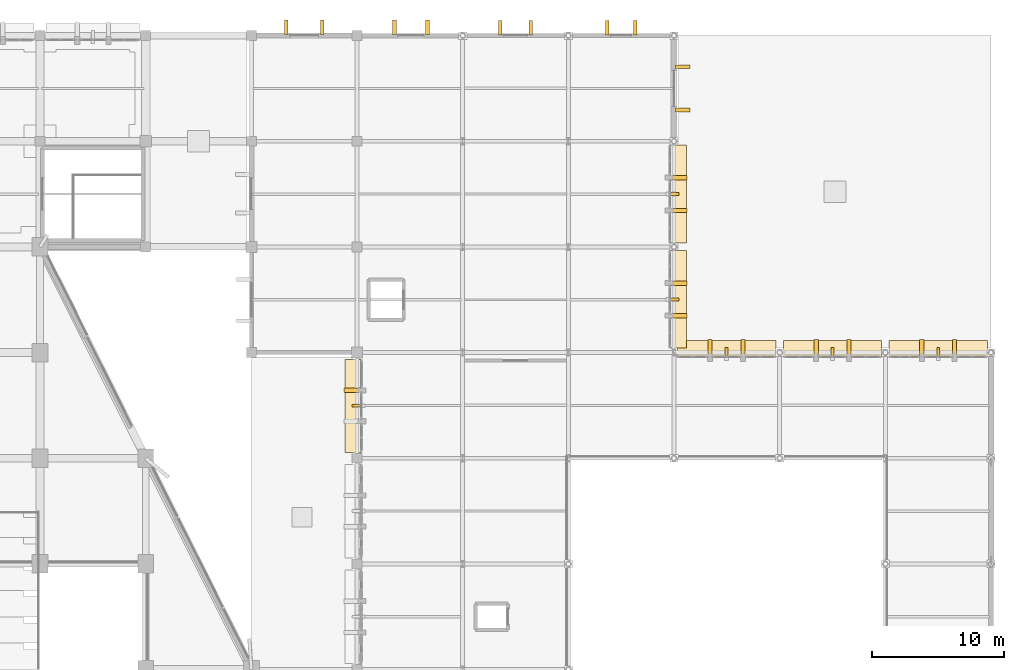
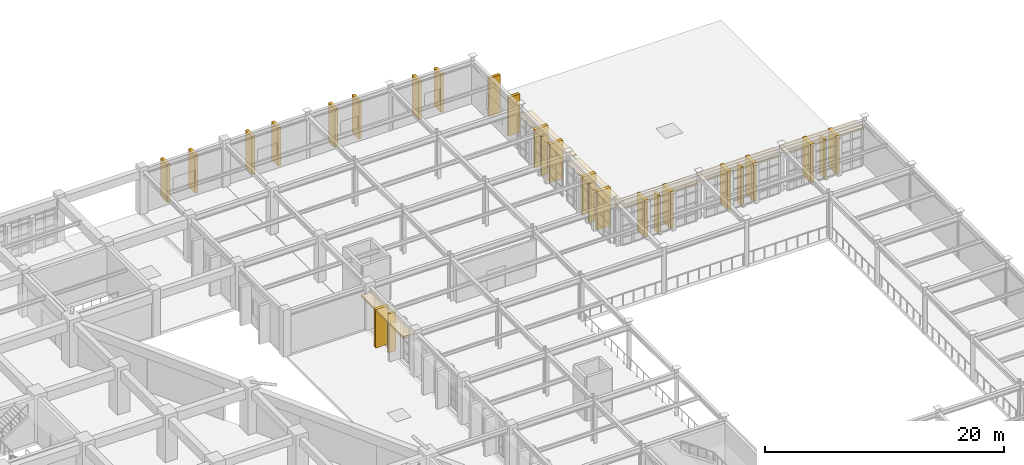
# One storey, part 155 of 155: 27 coverings, 6 shading devices.
"""IFC4 building model written with IfcOpenShell, lengths in metres."""

from ifc_helpers import new_model, si_unit, direction, frame, origin, origin_2d, place, context, subcontext, project, spatial, polyline, rectangle, outline, extrude, material, layer, layer_set, type_object, element, save


model = new_model("IFC4")

# Units and contexts
model_context = context("Model", 3, precision=1e-05, world=origin(), true_north=direction((0.0, 1.0)))
body_context = subcontext(model_context, "Body", "Model", "MODEL_VIEW")
ifc_project = project(units=[si_unit("LENGTHUNIT", "METRE"), si_unit("AREAUNIT", "SQUARE_METRE"), si_unit("VOLUMEUNIT", "CUBIC_METRE"), si_unit("PLANEANGLEUNIT", "RADIAN"), si_unit("MASSUNIT", "GRAM", prefix="KILO")], contexts=[model_context])

# Site, building, storey
site_placement = place(None, origin())
site = spatial("IfcSite", under=ifc_project, at=site_placement, CompositionType="ELEMENT")
building_placement = place(site_placement, origin())
building = spatial("IfcBuilding", under=site, at=building_placement, Name="Tazarka Park Arena", CompositionType="ELEMENT")
storey_placement = place(building_placement, frame((0.0, 0.0, 5.39990234375)))
storey = spatial("IfcBuildingStorey", under=building, at=storey_placement, Name="L01", CompositionType="ELEMENT", Elevation=5.39990234375)

# Coverings
ifc_material_1 = material(Name="Dark ribbed perforated bronze-charcoal aluminium mesh", Category="aluminium")
ifc_layer_1 = layer(ifc_material_1, 0.06005859375, Name="Dark ribbed perforated bronze-charcoal aluminium mesh")
ifc_layer_set_1 = layer_set([ifc_layer_1], Name="Dark ribbed perforated bronze-charcoal aluminium mesh")
covering_type_1 = type_object("IfcCoveringType", Name="CLD-01", PredefinedType="CLADDING", material=ifc_layer_set_1)
for number, where, z_axis, x_axis, name in (
    (1, (135.669921875, 101.148193359375, 0.0), (0.0, 0.0, 1.0), (0.0, 1.0, 0.0), "Brutalist Precast Brise-Soleil Blade L01-148-2"),
    (2, (178.760986328125, 104.330078125, 0.0), (0.0, 0.0, 1.0), (1.0, 0.0, 0.0), "Brutalist Precast Brise-Soleil Blade L01-190-1"),
    (3, (181.239013671875, 104.330078125, 0.0), (0.0, 0.0, 1.0), (1.0, 0.0, 0.0), "Brutalist Precast Brise-Soleil Blade L01-190-2"),
    (4, (170.760986328125, 104.330078125, 0.0), (0.0, 0.0, 1.0), (1.0, 0.0, 0.0), "Brutalist Precast Brise-Soleil Blade L01-193-1"),
    (5, (173.239013671875, 104.330078125, 0.0), (0.0, 0.0, 1.0), (1.0, 0.0, 0.0), "Brutalist Precast Brise-Soleil Blade L01-193-2"),
):
    element("IfcCovering", number, at=place(storey_placement, frame(where, z_axis=z_axis, x_axis=x_axis)), inside=storey, type_object=covering_type_1, Name=name, PredefinedType="CLADDING", context=body_context, shape_type="SweptSolid", body=[
        extrude(rectangle(XDim=0.320068359375, YDim=1.300048828125, at=origin_2d()), origin(), (0.0, 0.0, 1.0), 3.909912109375),
    ])
for number, where, z_axis, x_axis, name in (
    (6, (162.7255859375, 104.330078125, 0.0), (0.0, 0.0, 1.0), (1.0, 0.0, 0.0), "Brutalist Precast Brise-Soleil Blade L01-196-1"),
    (7, (165.22119140625, 104.330078125, 0.0), (0.0, 0.0, 1.0), (1.0, 0.0, 0.0), "Brutalist Precast Brise-Soleil Blade L01-196-2"),
):
    element("IfcCovering", number, at=place(storey_placement, frame(where, z_axis=z_axis, x_axis=x_axis)), inside=storey, type_object=covering_type_1, Name=name, PredefinedType="CLADDING", context=body_context, shape_type="SweptSolid", body=[
        extrude(rectangle(XDim=0.320068359375, YDim=1.300048828125, at=origin_2d()), origin(), (0.0, 0.0, 1.0), 3.81005859375),
    ])
for number, where, z_axis, x_axis, name in (
    (8, (160.330078125, 109.25439453125, 0.000244140625), (0.0, 0.0, 1.0), (0.0, -1.0, 0.0), "Brutalist Precast Brise-Soleil Blade L01-199-1"),
    (9, (160.330078125, 106.792236328125, 0.000244140625), (0.0, 0.0, 1.0), (0.0, -1.0, 0.0), "Brutalist Precast Brise-Soleil Blade L01-199-2"),
):
    element("IfcCovering", number, at=place(storey_placement, frame(where, z_axis=z_axis, x_axis=x_axis)), inside=storey, type_object=covering_type_1, Name=name, PredefinedType="CLADDING", context=body_context, shape_type="SweptSolid", body=[
        extrude(rectangle(XDim=0.320068359375, YDim=1.300048828125, at=origin_2d()), origin(), (0.0, 0.0, 1.0), 3.89990234375),
    ])
for number, where, z_axis, x_axis, name in (
    (10, (160.330078125, 117.239013671875, 0.0), (0.0, 0.0, 1.0), (0.0, -1.0, 0.0), "Brutalist Precast Brise-Soleil Blade L01-202-1"),
    (11, (160.330078125, 114.760986328125, 0.0), (0.0, 0.0, 1.0), (0.0, -1.0, 0.0), "Brutalist Precast Brise-Soleil Blade L01-202-2"),
):
    element("IfcCovering", number, at=place(storey_placement, frame(where, z_axis=z_axis, x_axis=x_axis)), inside=storey, type_object=covering_type_1, Name=name, PredefinedType="CLADDING", context=body_context, shape_type="SweptSolid", body=[
        extrude(rectangle(XDim=0.320068359375, YDim=1.300048828125, at=origin_2d()), origin(), (0.0, 0.0, 1.0), 3.909912109375),
    ])
for number, where, z_axis, x_axis, name in (
    (12, (160.6650390625, 125.6298828125, 0.0), (0.0, 0.0, 1.0), (0.0, -1.0, 0.0), "Window Reveal Brise-Soleil Fin L01-0024-1"),
    (13, (160.6650390625, 122.3701171875, 0.0), (0.0, 0.0, 1.0), (0.0, -1.0, 0.0), "Window Reveal Brise-Soleil Fin L01-0024-2"),
    (14, (154.945068359375, 128.60009765625, 0.0), (0.0, 0.0, 1.0), (1.0, 0.0, 0.0), "Window Reveal Brise-Soleil Fin L01-0025-1"),
    (15, (157.054931640625, 128.60009765625, 0.0), (0.0, 0.0, 1.0), (1.0, 0.0, 0.0), "Window Reveal Brise-Soleil Fin L01-0025-2"),
    (16, (146.844970703125, 128.610107421875, 0.0), (0.0, 0.0, 1.0), (1.0, 0.0, 0.0), "Window Reveal Brise-Soleil Fin L01-0026-1"),
    (17, (149.155029296875, 128.610107421875, 0.0), (0.0, 0.0, 1.0), (1.0, 0.0, 0.0), "Window Reveal Brise-Soleil Fin L01-0026-2"),
    (18, (138.830810546875, 128.6201171875, 0.0), (0.0, 0.0, 1.0), (1.0, 0.0, 0.0), "Window Reveal Brise-Soleil Fin L01-0027-1"),
    (19, (141.3408203125, 128.6201171875, 0.0), (0.0, 0.0, 1.0), (1.0, 0.0, 0.0), "Window Reveal Brise-Soleil Fin L01-0027-2"),
    (20, (130.64501953125, 128.6298828125, 0.0), (0.0, 0.0, 1.0), (1.0, 0.0, 0.0), "Window Reveal Brise-Soleil Fin L01-0028-1"),
    (21, (133.35498046875, 128.6298828125, 0.0), (0.0, 0.0, 1.0), (1.0, 0.0, 0.0), "Window Reveal Brise-Soleil Fin L01-0028-2"),
):
    element("IfcCovering", number, at=place(storey_placement, frame(where, z_axis=z_axis, x_axis=x_axis)), inside=storey, type_object=covering_type_1, Name=name, PredefinedType="CLADDING", context=body_context, shape_type="SweptSolid", body=[
        extrude(rectangle(XDim=0.280029296875, YDim=1.10009765625, at=origin_2d()), origin(), (0.0, 0.0, 1.0), 3.909912109375),
    ])
ifc_material_2 = material(Name="Standing-seam acoustic aluminium roofing membrane", Category="aluminium")
ifc_layer_2 = layer(ifc_material_2, 0.050048828125, Name="Standing-seam acoustic aluminium roofing membrane")
ifc_layer_set_2 = layer_set([ifc_layer_2], Name="Standing-seam acoustic aluminium roofing membrane")
covering_type_2 = type_object("IfcCoveringType", Name="RFG-01", PredefinedType="ROOFING", material=ifc_layer_set_2)
covering_1_placement = place(storey_placement, frame((0.0, 0.0, 3.670166015625)))
element("IfcCovering", 22, at=covering_1_placement, inside=storey, type_object=covering_type_2, Name="Brutalist Sun-Hood Overhang L01-148", PredefinedType="ROOFING", context=body_context, shape_type="SweptSolid", body=[
    extrude(outline(polyline([(136.320068359375, 96.455078125), (136.320068359375, 103.4951171875), (135.070068359375, 103.4951171875), (135.070068359375, 96.455078125), (136.320068359375, 96.455078125)])), origin(), (0.0, 0.0, 1.0), 0.219970703125),
])
covering_2_placement = place(storey_placement, frame((0.0, 0.0, 3.670166015625)))
element("IfcCovering", 23, at=covering_2_placement, inside=storey, type_object=covering_type_2, Name="Brutalist Sun-Hood Overhang L01-190", PredefinedType="ROOFING", context=body_context, shape_type="SweptSolid", body=[
    extrude(outline(polyline([(176.283203125, 103.679931640625), (183.716796875, 103.679931640625), (183.716796875, 104.929931640625), (176.283203125, 104.929931640625), (176.283203125, 103.679931640625)])), origin(), (0.0, 0.0, 1.0), 0.219970703125),
])
covering_3_placement = place(storey_placement, frame((0.0, 0.0, 3.670166015625)))
element("IfcCovering", 24, at=covering_3_placement, inside=storey, type_object=covering_type_2, Name="Brutalist Sun-Hood Overhang L01-193", PredefinedType="ROOFING", context=body_context, shape_type="SweptSolid", body=[
    extrude(outline(polyline([(168.283203125, 103.679931640625), (175.716796875, 103.679931640625), (175.716796875, 104.929931640625), (168.283203125, 104.929931640625), (168.283203125, 103.679931640625)])), origin(), (0.0, 0.0, 1.0), 0.219970703125),
])
covering_4_placement = place(storey_placement, frame((0.0, 0.0, 3.570068359375)))
element("IfcCovering", 25, at=covering_4_placement, inside=storey, type_object=covering_type_2, Name="Brutalist Sun-Hood Overhang L01-196", PredefinedType="ROOFING", context=body_context, shape_type="SweptSolid", body=[
    extrude(outline(polyline([(160.22998046875, 103.679931640625), (167.716796875, 103.679931640625), (167.716796875, 104.929931640625), (160.22998046875, 104.929931640625), (160.22998046875, 103.679931640625)])), origin(), (0.0, 0.0, 1.0), 0.219970703125),
])
covering_5_placement = place(storey_placement, frame((0.0, 0.0, 3.66015625)))
element("IfcCovering", 26, at=covering_5_placement, inside=storey, type_object=covering_type_2, Name="Brutalist Sun-Hood Overhang L01-199", PredefinedType="ROOFING", context=body_context, shape_type="SweptSolid", body=[
    extrude(outline(polyline([(159.679931640625, 111.716796875), (159.679931640625, 104.330078125), (160.929931640625, 104.330078125), (160.929931640625, 111.716796875), (159.679931640625, 111.716796875)])), origin(), (0.0, 0.0, 1.0), 0.219970703125),
])
covering_6_placement = place(storey_placement, frame((0.0, 0.0, 3.670166015625)))
element("IfcCovering", 27, at=covering_6_placement, inside=storey, type_object=covering_type_2, Name="Brutalist Sun-Hood Overhang L01-202", PredefinedType="ROOFING", context=body_context, shape_type="SweptSolid", body=[
    extrude(outline(polyline([(159.679931640625, 119.716796875), (159.679931640625, 112.283203125), (160.929931640625, 112.283203125), (160.929931640625, 119.716796875), (159.679931640625, 119.716796875)])), origin(), (0.0, 0.0, 1.0), 0.219970703125),
])

# Shading devices
ifc_material_3 = material(Name="Precast concrete C40/50", Category="concrete")
shading_device_type = type_object("IfcShadingDeviceType", Name="SHD-01", PredefinedType="SHUTTER", material=ifc_material_3)
for number, where, z_axis, x_axis, name in (
    (28, (135.97998046875, 99.97509765625, -0.0400390625), (0.0, 0.0, 1.0), (0.0, 1.0, 0.0), "Brise-Soleil Fin BS-050"),
    (29, (180.0, 104.02001953125, -0.0400390625), (0.0, 0.0, 1.0), (1.0, 0.0, 0.0), "Brise-Soleil Fin BS-064"),
    (30, (172.0, 104.02001953125, -0.0400390625), (0.0, 0.0, 1.0), (1.0, 0.0, 0.0), "Brise-Soleil Fin BS-065"),
):
    element("IfcShadingDevice", number, at=place(storey_placement, frame(where, z_axis=z_axis, x_axis=x_axis)), inside=storey, type_object=shading_device_type, Name=name, PredefinedType="SHUTTER", context=body_context, shape_type="SweptSolid", body=[
        extrude(rectangle(XDim=0.219970703125, YDim=0.719970703125, at=origin_2d()), origin(), (0.0, 0.0, 1.0), 3.989990234375),
    ])
shading_device_1_placement = place(storey_placement, frame((163.973388671875, 104.02001953125, -0.0400390625), z_axis=(0.0, 0.0, 1.0), x_axis=(1.0, 0.0, 0.0)))
element("IfcShadingDevice", 31, at=shading_device_1_placement, inside=storey, type_object=shading_device_type, Name="Brise-Soleil Fin BS-066", PredefinedType="SHUTTER", context=body_context, shape_type="SweptSolid", body=[
    extrude(rectangle(XDim=0.219970703125, YDim=0.719970703125, at=origin_2d()), origin(), (0.0, 0.0, 1.0), 3.889892578125),
])
shading_device_2_placement = place(storey_placement, frame((160.02001953125, 108.0234375, -0.039794921875), z_axis=(0.0, 0.0, 1.0), x_axis=(0.0, -1.0, 0.0)))
element("IfcShadingDevice", 32, at=shading_device_2_placement, inside=storey, type_object=shading_device_type, Name="Brise-Soleil Fin BS-067", PredefinedType="SHUTTER", context=body_context, shape_type="SweptSolid", body=[
    extrude(rectangle(XDim=0.219970703125, YDim=0.719970703125, at=origin_2d()), origin(), (0.0, 0.0, 1.0), 3.97998046875),
])
shading_device_3_placement = place(storey_placement, frame((160.02001953125, 116.0, -0.0400390625), z_axis=(0.0, 0.0, 1.0), x_axis=(0.0, -1.0, 0.0)))
element("IfcShadingDevice", 33, at=shading_device_3_placement, inside=storey, type_object=shading_device_type, Name="Brise-Soleil Fin BS-068", PredefinedType="SHUTTER", context=body_context, shape_type="SweptSolid", body=[
    extrude(rectangle(XDim=0.219970703125, YDim=0.719970703125, at=origin_2d()), origin(), (0.0, 0.0, 1.0), 3.989990234375),
])

save(model, "model.ifc")
